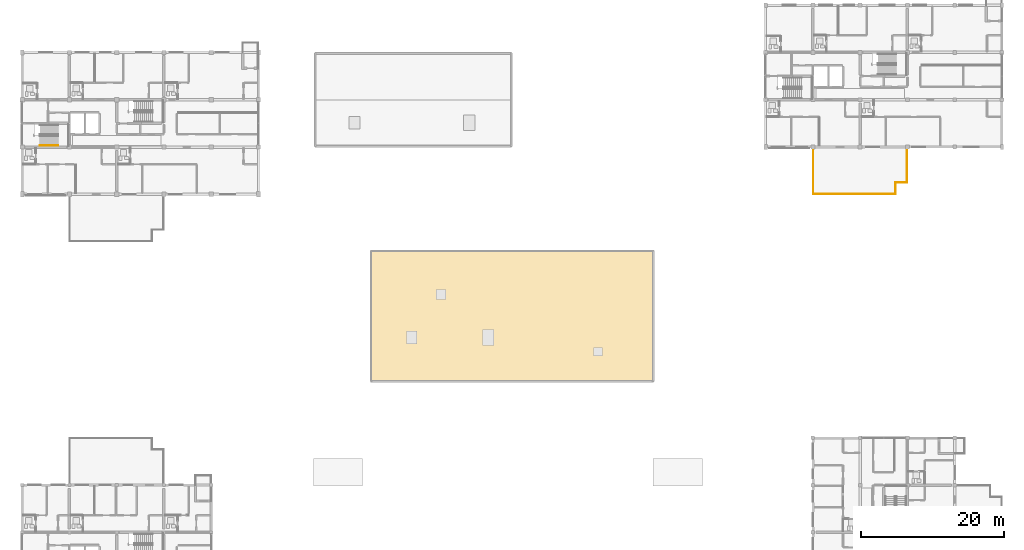
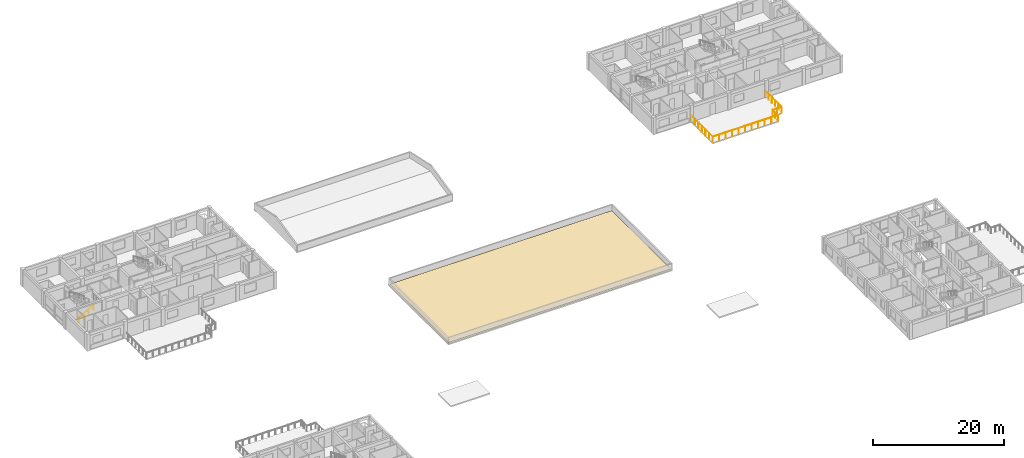
# One storey, part 46 of 51: 2 railings, 1 covering.
"""IFC4 building model written with IfcOpenShell, lengths in metres."""

from ifc_helpers import new_model, si_unit, direction, frame, origin, origin_2d, place, context, subcontext, project, spatial, polyline, circle, outline, extrude, material, layer, layer_set, type_object, element, save


model = new_model("IFC4")

# Units and contexts
model_context = context("Model", 3, precision=1e-05, world=origin(), true_north=direction((0.0, 1.0)))
body_context = subcontext(model_context, "Body", "Model", "MODEL_VIEW")
ifc_project = project(units=[si_unit("LENGTHUNIT", "METRE"), si_unit("AREAUNIT", "SQUARE_METRE"), si_unit("VOLUMEUNIT", "CUBIC_METRE"), si_unit("PLANEANGLEUNIT", "RADIAN"), si_unit("MASSUNIT", "GRAM", prefix="KILO")], contexts=[model_context])

# Site, building, storey
site_placement = place(None, origin())
site = spatial("IfcSite", under=ifc_project, at=site_placement, CompositionType="ELEMENT")
building_placement = place(site_placement, origin())
building = spatial("IfcBuilding", under=site, at=building_placement, Name="Kernevlak Ridge Housing Community", CompositionType="ELEMENT")
storey_placement = place(building_placement, frame((0.0, 0.0, 8.39990234375)))
storey = spatial("IfcBuildingStorey", under=building, at=storey_placement, Name="L02", CompositionType="ELEMENT", Elevation=8.39990234375)

# Covering
ifc_material_1 = material(Name="Cool-white TPO membrane over rigid roof insulation")
ifc_layer = layer(ifc_material_1, 0.06005859375, Name="Cool-white TPO membrane over rigid roof insulation")
ifc_layer_set = layer_set([ifc_layer], Name="Cool-white TPO membrane over rigid roof insulation")
covering_type = type_object("IfcCoveringType", Name="CV-03", PredefinedType="ROOFING", material=ifc_layer_set)
covering_placement = place(storey_placement, origin())
element("IfcCovering", 1, at=covering_placement, inside=storey, type_object=covering_type, Name="Community Hall cool-white roof membrane", PredefinedType="ROOFING", context=body_context, shape_type="SweptSolid", body=[
    extrude(outline(polyline([(64.39990234375, 50.0), (103.60009765625, 50.0), (103.60009765625, 68.0), (64.39990234375, 68.0), (64.39990234375, 50.0)])), origin(), (0.0, 0.0, 1.0), 0.06005859375),
])

# Railings
ifc_material_2 = material(Name="Steel S355", Category="steel")
railing_type_1 = type_object("IfcRailingType", Name="GR-01", PredefinedType="GUARDRAIL", material=ifc_material_2)
railing_1_placement = place(storey_placement, frame((126.050048828125, 82.60009765625, 0.0)))
element("IfcRailing", 2, at=railing_1_placement, inside=storey, type_object=railing_type_1, Name="Block B L02 podium terrace guard GR-01 20", PredefinedType="GUARDRAIL", context=body_context, shape_type="SweptSolid", body=[
    extrude(circle(Radius=0.02392578125, at=origin_2d()), frame((0.0, 0.0, 1.09619140625), z_axis=(0.0, -1.0, 0.0), x_axis=(1.0, 0.0, 0.0)), (0.0, 0.0, 1.0), 6.550048828125),
    extrude(circle(Radius=0.02392578125, at=origin_2d()), frame((0.0, -6.550048828125, 1.09619140625), z_axis=(1.0, 0.0, 0.0), x_axis=(0.0, 1.0, 0.0)), (0.0, 0.0, 1.0), 11.5),
    extrude(circle(Radius=0.02392578125, at=origin_2d()), frame((11.5, -6.550048828125, 1.09619140625), z_axis=(0.0, 1.0, 0.0), x_axis=(-1.0, 0.0, 0.0)), (0.0, 0.0, 1.0), 1.599853515625),
    extrude(circle(Radius=0.02392578125, at=origin_2d()), frame((11.5, -4.9501953125, 1.09619140625), z_axis=(1.0, 0.0, 0.0), x_axis=(0.0, 1.0, 0.0)), (0.0, 0.0, 1.0), 1.599853515625),
    extrude(circle(Radius=0.02392578125, at=origin_2d()), frame((13.099853515625, -4.9501953125, 1.09619140625), z_axis=(0.0, 1.0, 0.0), x_axis=(-1.0, 0.0, 0.0)), (0.0, 0.0, 1.0), 4.9501953125),
    extrude(circle(Radius=0.02099609375, at=origin_2d()), origin(), (0.0, 0.0, 1.0), 1.072021484375),
    extrude(circle(Radius=0.02099609375, at=origin_2d()), frame((0.0, -1.091796875, 0.0)), (0.0, 0.0, 1.0), 1.072021484375),
    extrude(circle(Radius=0.02099609375, at=origin_2d()), frame((0.0, -2.183349609375, 0.0)), (0.0, 0.0, 1.0), 1.072021484375),
    extrude(circle(Radius=0.02099609375, at=origin_2d()), frame((0.0, -3.27490234375, 0.0)), (0.0, 0.0, 1.0), 1.072021484375),
    extrude(circle(Radius=0.02099609375, at=origin_2d()), frame((0.0, -4.36669921875, 0.0)), (0.0, 0.0, 1.0), 1.072021484375),
    extrude(circle(Radius=0.02099609375, at=origin_2d()), frame((0.0, -5.45849609375, 0.0)), (0.0, 0.0, 1.0), 1.072021484375),
    extrude(circle(Radius=0.02099609375, at=origin_2d()), frame((0.0, -6.550048828125, 0.0)), (0.0, 0.0, 1.0), 1.072021484375),
    extrude(circle(Radius=0.02099609375, at=origin_2d()), frame((1.14990234375, -6.550048828125, 0.0)), (0.0, 0.0, 1.0), 1.072021484375),
    extrude(circle(Radius=0.02099609375, at=origin_2d()), frame((2.300048828125, -6.550048828125, 0.0)), (0.0, 0.0, 1.0), 1.072021484375),
    extrude(circle(Radius=0.02099609375, at=origin_2d()), frame((3.449951171875, -6.550048828125, 0.0)), (0.0, 0.0, 1.0), 1.072021484375),
    extrude(circle(Radius=0.02099609375, at=origin_2d()), frame((4.60009765625, -6.550048828125, 0.0)), (0.0, 0.0, 1.0), 1.072021484375),
    extrude(circle(Radius=0.02099609375, at=origin_2d()), frame((5.75, -6.550048828125, 0.0)), (0.0, 0.0, 1.0), 1.072021484375),
    extrude(circle(Radius=0.02099609375, at=origin_2d()), frame((6.89990234375, -6.550048828125, 0.0)), (0.0, 0.0, 1.0), 1.072021484375),
    extrude(circle(Radius=0.02099609375, at=origin_2d()), frame((8.050048828125, -6.550048828125, 0.0)), (0.0, 0.0, 1.0), 1.072021484375),
    extrude(circle(Radius=0.02099609375, at=origin_2d()), frame((9.199951171875, -6.550048828125, 0.0)), (0.0, 0.0, 1.0), 1.072021484375),
    extrude(circle(Radius=0.02099609375, at=origin_2d()), frame((10.35009765625, -6.550048828125, 0.0)), (0.0, 0.0, 1.0), 1.072021484375),
    extrude(circle(Radius=0.02099609375, at=origin_2d()), frame((11.5, -6.550048828125, 0.0)), (0.0, 0.0, 1.0), 1.072021484375),
    extrude(circle(Radius=0.02099609375, at=origin_2d()), frame((11.5, -5.75, 0.0)), (0.0, 0.0, 1.0), 1.072021484375),
    extrude(circle(Radius=0.02099609375, at=origin_2d()), frame((11.5, -4.9501953125, 0.0)), (0.0, 0.0, 1.0), 1.072021484375),
    extrude(circle(Radius=0.02099609375, at=origin_2d()), frame((12.2998046875, -4.9501953125, 0.0)), (0.0, 0.0, 1.0), 1.072021484375),
    extrude(circle(Radius=0.02099609375, at=origin_2d()), frame((13.099853515625, -4.9501953125, 0.0)), (0.0, 0.0, 1.0), 1.072021484375),
    extrude(circle(Radius=0.02099609375, at=origin_2d()), frame((13.099853515625, -3.960205078125, 0.0)), (0.0, 0.0, 1.0), 1.072021484375),
    extrude(circle(Radius=0.02099609375, at=origin_2d()), frame((13.099853515625, -2.97021484375, 0.0)), (0.0, 0.0, 1.0), 1.072021484375),
    extrude(circle(Radius=0.02099609375, at=origin_2d()), frame((13.099853515625, -1.97998046875, 0.0)), (0.0, 0.0, 1.0), 1.072021484375),
    extrude(circle(Radius=0.02099609375, at=origin_2d()), frame((13.099853515625, -0.989990234375, 0.0)), (0.0, 0.0, 1.0), 1.072021484375),
    extrude(circle(Radius=0.02099609375, at=origin_2d()), frame((13.099853515625, 0.0, 0.0)), (0.0, 0.0, 1.0), 1.072021484375),
])
ifc_material_3 = material(Name="Stainless steel EN 1.4401", Category="steel")
railing_type_2 = type_object("IfcRailingType", Name="HR-01", PredefinedType="HANDRAIL", material=ifc_material_3)
railing_2_placement = place(storey_placement, frame((18.080078125, 82.820068359375, 0.16015625)))
element("IfcRailing", 3, at=railing_2_placement, inside=storey, type_object=railing_type_2, Name="Stair ST-A1 L02 flight 1 handrail", PredefinedType="HANDRAIL", context=body_context, shape_type="SweptSolid", body=[
    extrude(circle(Radius=0.02392578125, at=origin_2d()), frame((0.0, 0.0, 0.89599609375), z_axis=(0.868253494771, 0.0, 0.496120820787), x_axis=(0.0, 1.0, 0.0)), (0.0, 0.0, 1.0), 2.90234375),
    extrude(circle(Radius=0.02099609375, at=origin_2d()), origin(), (0.0, 0.0, 1.0), 0.871826171875),
    extrude(circle(Radius=0.02099609375, at=origin_2d()), frame((0.840087890625, 0.0, 0.47998046875)), (0.0, 0.0, 1.0), 0.871826171875),
    extrude(circle(Radius=0.02099609375, at=origin_2d()), frame((1.679931640625, 0.0, 0.9599609375)), (0.0, 0.0, 1.0), 0.871826171875),
    extrude(circle(Radius=0.02099609375, at=origin_2d()), frame((2.52001953125, 0.0, 1.43994140625)), (0.0, 0.0, 1.0), 0.871826171875),
])

save(model, "model.ifc")
